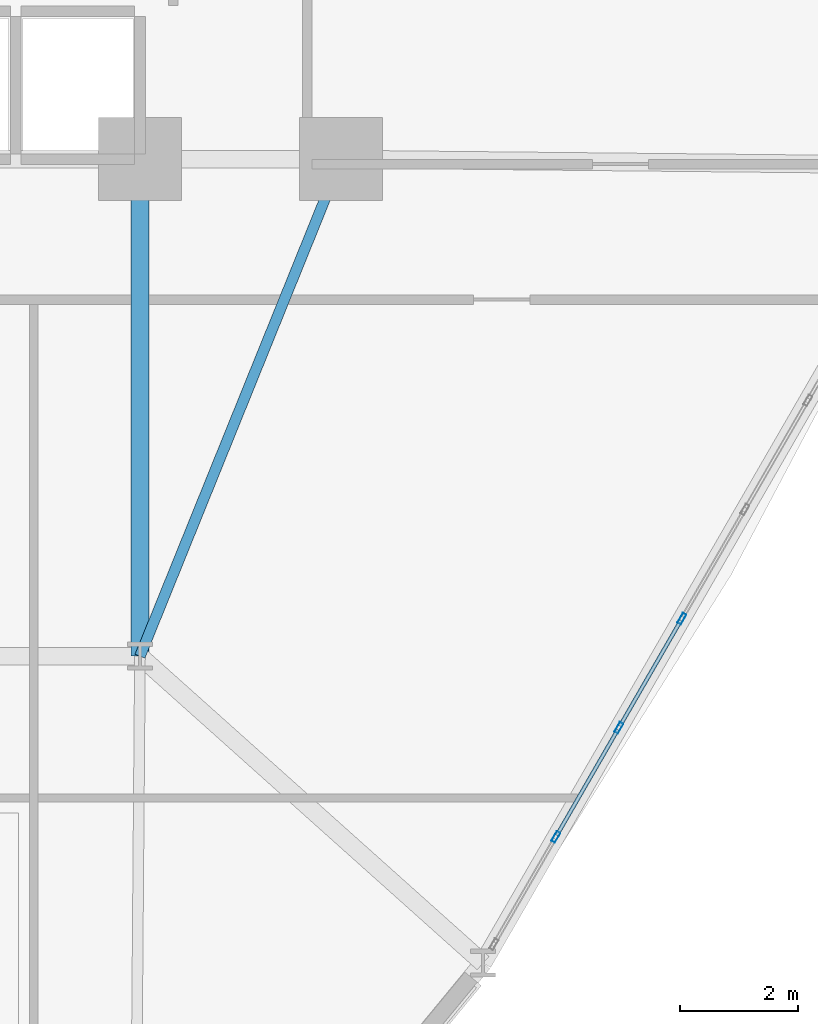
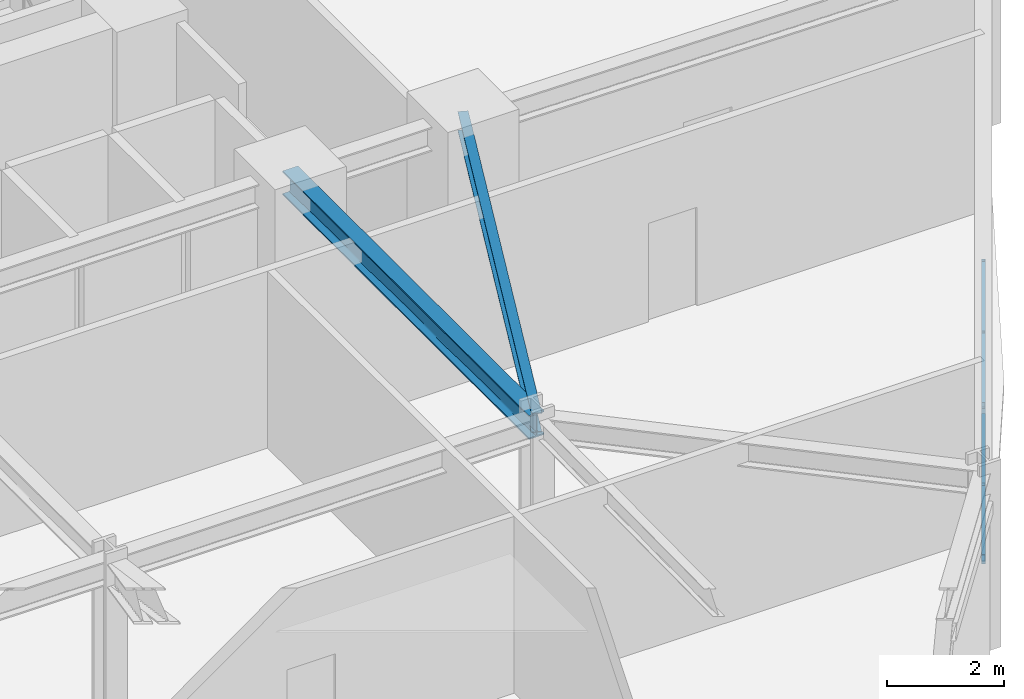
# One storey, part 7 of 22: 7 members, 2 beams, 1 element without a shape of its own.
"""IFC4 building model written with IfcOpenShell, lengths in metres."""

from ifc_helpers import new_model, si_unit, derived_unit, direction, frame, origin, origin_2d, place, context, subcontext, project, spatial, hollow_rectangle, i_section, extrude, source, transform, mapped, material, layer, layer_set, material_profile, profile_set, type_object, element, aggregate, save


model = new_model("IFC4")

# Units and contexts
model_context = context("Model", 3, precision=1e-05, world=origin(), true_north=direction((0.0, 1.0)))
body_context = subcontext(model_context, "Body", "Model", "MODEL_VIEW")
ifc_project = project(units=[si_unit("LENGTHUNIT", "METRE"), si_unit("AREAUNIT", "SQUARE_METRE"), si_unit("VOLUMEUNIT", "CUBIC_METRE"), si_unit("PLANEANGLEUNIT", "RADIAN"), si_unit("MASSUNIT", "GRAM", prefix="KILO"), derived_unit("THERMALTRANSMITTANCEUNIT", [(si_unit("POWERUNIT", "WATT"), 1), (si_unit("LENGTHUNIT", "METRE"), -2), (si_unit("THERMODYNAMICTEMPERATUREUNIT", "KELVIN"), -1)])], contexts=[model_context])

# Site, building, storey
site_placement = place(None, origin())
site = spatial("IfcSite", under=ifc_project, at=site_placement, CompositionType="ELEMENT")
building_placement = place(site_placement, origin())
building = spatial("IfcBuilding", under=site, at=building_placement, Name="Korsvarv Bourse and Concert Hall", CompositionType="ELEMENT")
storey_placement = place(building_placement, frame((0.0, 0.0, 51.300048828125)))
storey = spatial("IfcBuildingStorey", under=building, at=storey_placement, Name="L12", CompositionType="ELEMENT", Elevation=51.300048828125)

# Beams
ifc_material_1 = material(Name="Steel S355", Category="steel")
ifc_material_profile_1 = material_profile(ifc_material_1, i_section(OverallWidth=0.300048828125, OverallDepth=0.5, WebThickness=0.014404296875, FlangeThickness=0.028076171875, FilletRadius=0.02392578125, at=origin_2d()), Name="HEB 500")
ifc_profile_set_1 = profile_set([ifc_material_profile_1], Name="Steel S355")
beam_type_1 = type_object("IfcBeamType", Name="BM-HEB500", PredefinedType="BEAM", material=ifc_profile_set_1)
shared_shape_1 = source(origin(), body_context, "Body", "SweptSolid", [
    extrude(i_section(OverallWidth=0.300048828125, OverallDepth=0.5, WebThickness=0.014404296875, FlangeThickness=0.028076171875, FilletRadius=0.02392578125, at=origin_2d()), origin(), (0.0, 0.0, 1.0), 8.39990234375),
])
beam_1_placement = place(storey_placement, frame((44.39990234375, 24.0, 3.429931640625), z_axis=(0.0, 1.0, 0.0), x_axis=(-1.0, 0.0, 0.0)))
element("IfcBeam", 1, at=beam_1_placement, inside=storey, type_object=beam_type_1, Name="L12 beam B-07", PredefinedType="BEAM", context=body_context, shape_type="MappedRepresentation", body=[
    mapped(shared_shape_1, transform((0.0, 0.0, 0.0), scale=1.0)),
])
ifc_material_profile_2 = material_profile(ifc_material_1, i_section(OverallWidth=0.179931640625, OverallDepth=0.39990234375, WebThickness=0.008544921875, FlangeThickness=0.013427734375, FilletRadius=0.02099609375, at=origin_2d()), Name="IPE 400")
ifc_profile_set_2 = profile_set([ifc_material_profile_2], Name="Steel S355")
beam_type_2 = type_object("IfcBeamType", Name="BM-IPE400", PredefinedType="JOIST", material=ifc_profile_set_2)
shared_shape_2 = source(origin(), body_context, "Body", "SweptSolid", [
    extrude(i_section(OverallWidth=0.179931640625, OverallDepth=0.39990234375, WebThickness=0.008544921875, FlangeThickness=0.013427734375, FilletRadius=0.02099609375, at=origin_2d()), origin(), (0.0, 0.0, 1.0), 9.06201171875),
])
beam_2_placement = place(storey_placement, frame((47.800048828125, 32.39990234375, 3.47998046875), z_axis=(-0.375210394783, -0.926939674222, 0.0), x_axis=(0.926939674222, -0.375210394783, 0.0)))
element("IfcBeam", 2, at=beam_2_placement, inside=storey, type_object=beam_type_2, Name="L12 beam J-05", PredefinedType="JOIST", context=body_context, shape_type="MappedRepresentation", body=[
    mapped(shared_shape_2, transform((0.0, 0.0, 0.0), scale=1.0)),
])

# Curtain wall, members
ifc_material_2 = material(Name="Anodised aluminium and triple low-E glazing", Category="glass")
ifc_layer = layer(ifc_material_2, 0.219970703125)
ifc_layer_set = layer_set([ifc_layer], Name="Anodised aluminium and triple low-E glazing")
curtain_wall_type = type_object("IfcCurtainWallType", Name="CW-SYS-1", PredefinedType="NOTDEFINED", material=ifc_layer_set)
curtain_wall_placement = place(storey_placement, origin())
curtain_wall = element("IfcCurtainWall", 3, at=curtain_wall_placement, inside=storey, type_object=curtain_wall_type, Name="L12 CW1 curtain wall CW-L12-F11", PredefinedType="NOTDEFINED")
ifc_material_3 = material(Name="Extruded aluminium EN AW-6063 T66", Category="aluminium")
ifc_material_profile_3 = material_profile(ifc_material_3, hollow_rectangle(XDim=0.070068359375, YDim=0.18994140625, WallThickness=0.0048828125, at=origin_2d()), Name="ALU-M 70x190")
ifc_profile_set_3 = profile_set([ifc_material_profile_3], Name="Extruded aluminium EN AW-6063 T66")
member_type_1 = type_object("IfcMemberType", Name="CWM-190", PredefinedType="MULLION", material=ifc_profile_set_3)
shared_shape_3 = source(origin(), body_context, "Body", "SweptSolid", [
    extrude(hollow_rectangle(XDim=0.070068359375, YDim=0.18994140625, WallThickness=0.0048828125, at=origin_2d()), origin(), (0.0, 0.0, 1.0), 3.22998046875),
])
member_1_placement = place(storey_placement, frame((51.428955078125, 20.94482421875, 0.0), z_axis=(0.0, 0.0, 1.0), x_axis=(-0.866025499647, 0.499999833962, 0.0)))
member_1 = element("IfcMember", 4, at=member_1_placement, type_object=member_type_1, Name="CW1 mullion 2", PredefinedType="MULLION", context=body_context, shape_type="MappedRepresentation", body=[
    mapped(shared_shape_3, transform((0.0, 0.0, 0.0), scale=1.0)),
])
member_2_placement = place(storey_placement, frame((52.49365234375, 22.788818359375, 0.0), z_axis=(0.0, 0.0, 1.0), x_axis=(-0.866025499647, 0.499999833962, 0.0)))
member_2 = element("IfcMember", 5, at=member_2_placement, type_object=member_type_1, Name="CW1 mullion 3", PredefinedType="MULLION", context=body_context, shape_type="MappedRepresentation", body=[
    mapped(shared_shape_3, transform((0.0, 0.0, 0.0), scale=1.0)),
])
member_3_placement = place(storey_placement, frame((53.558349609375, 24.633056640625, 0.0), z_axis=(0.0, 0.0, 1.0), x_axis=(-0.866025499647, 0.499999833962, 0.0)))
member_3 = element("IfcMember", 6, at=member_3_placement, type_object=member_type_1, Name="CW1 mullion 4", PredefinedType="MULLION", context=body_context, shape_type="MappedRepresentation", body=[
    mapped(shared_shape_3, transform((0.0, 0.0, 0.0), scale=1.0)),
])
ifc_material_profile_4 = material_profile(ifc_material_3, hollow_rectangle(XDim=0.06494140625, YDim=0.139892578125, WallThickness=0.00390625, at=origin_2d()), Name="ALU-T 65x140")
ifc_profile_set_4 = profile_set([ifc_material_profile_4], Name="Extruded aluminium EN AW-6063 T66")
member_type_2 = type_object("IfcMemberType", Name="CWT-140", PredefinedType="USERDEFINED", material=ifc_profile_set_4)
shared_shape_4 = source(origin(), body_context, "Body", "SweptSolid", [
    extrude(hollow_rectangle(XDim=0.06494140625, YDim=0.139892578125, WallThickness=0.00390625, at=origin_2d()), origin(), (0.0, 0.0, 1.0), 2.059326171875),
])
member_4_placement = place(storey_placement, frame((51.446533203125, 20.97509765625, 0.032470703125), z_axis=(0.500040568494, 0.866001980287, 0.0), x_axis=(-0.866001980287, 0.500040568494, 0.0)))
member_4 = element("IfcMember", 7, at=member_4_placement, type_object=member_type_2, Name="CW1 transom 2.1", ObjectType="TRANSOM", PredefinedType="USERDEFINED", context=body_context, shape_type="MappedRepresentation", body=[
    mapped(shared_shape_4, transform((0.0, 0.0, 0.0), scale=1.0)),
])
member_5_placement = place(storey_placement, frame((51.446533203125, 20.97509765625, 3.197509765625), z_axis=(0.500040568494, 0.866001980287, 0.0), x_axis=(-0.866001980287, 0.500040568494, 0.0)))
member_5 = element("IfcMember", 8, at=member_5_placement, type_object=member_type_2, Name="CW1 transom 2.2", ObjectType="TRANSOM", PredefinedType="USERDEFINED", context=body_context, shape_type="MappedRepresentation", body=[
    mapped(shared_shape_4, transform((0.0, 0.0, 0.0), scale=1.0)),
])
member_6_placement = place(storey_placement, frame((52.51123046875, 22.8193359375, 0.032470703125), z_axis=(0.500040568494, 0.866001980287, 0.0), x_axis=(-0.866001980287, 0.500040568494, 0.0)))
member_6 = element("IfcMember", 9, at=member_6_placement, type_object=member_type_2, Name="CW1 transom 3.1", ObjectType="TRANSOM", PredefinedType="USERDEFINED", context=body_context, shape_type="MappedRepresentation", body=[
    mapped(shared_shape_4, transform((0.0, 0.0, 0.0), scale=1.0)),
])
member_7_placement = place(storey_placement, frame((52.51123046875, 22.8193359375, 3.197509765625), z_axis=(0.500040568494, 0.866001980287, 0.0), x_axis=(-0.866001980287, 0.500040568494, 0.0)))
member_7 = element("IfcMember", 10, at=member_7_placement, type_object=member_type_2, Name="CW1 transom 3.2", ObjectType="TRANSOM", PredefinedType="USERDEFINED", context=body_context, shape_type="MappedRepresentation", body=[
    mapped(shared_shape_4, transform((0.0, 0.0, 0.0), scale=1.0)),
])
aggregate(curtain_wall, [member_1, member_2, member_3, member_4, member_5, member_6, member_7])

save(model, "model.ifc")
